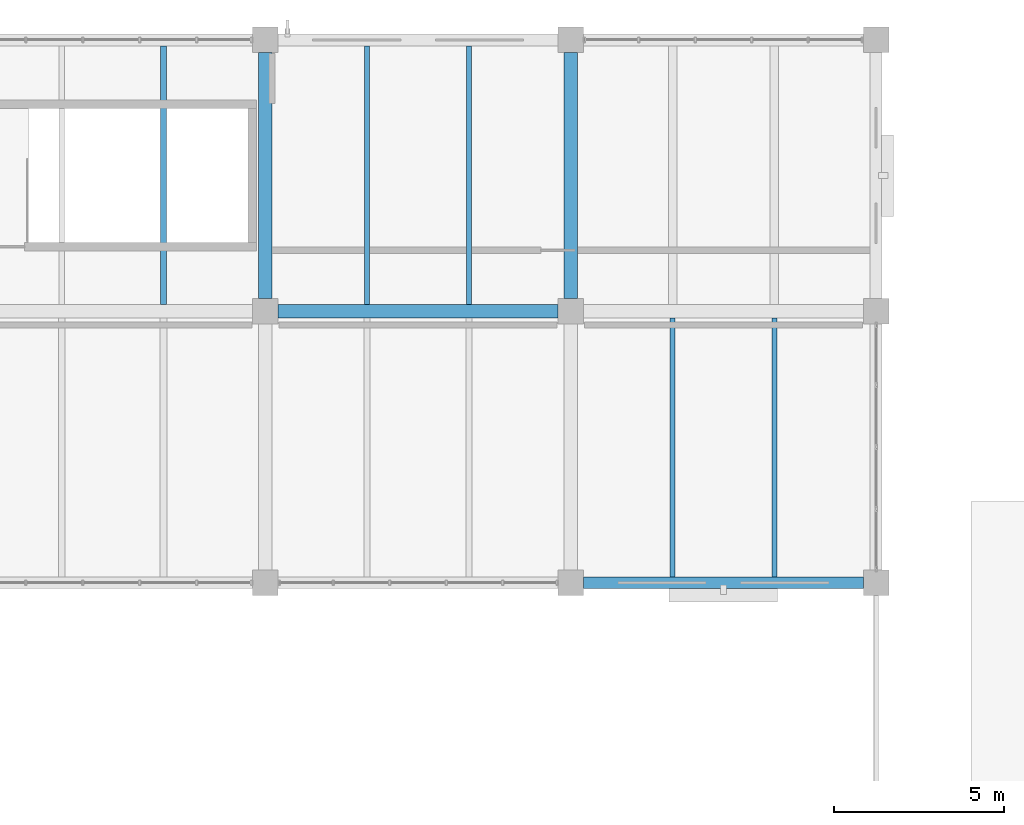
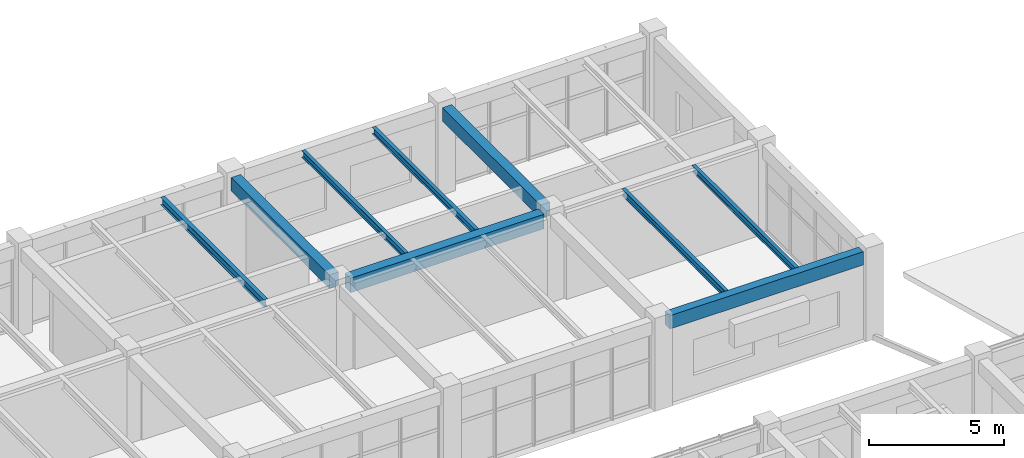
# One storey, part 72 of 148: 9 beams.
"""IFC4 building model written with IfcOpenShell, lengths in metres."""

from ifc_helpers import new_model, si_unit, derived_unit, direction, frame, origin, origin_2d, place, context, subcontext, project, spatial, rectangle, i_section, extrude, material, material_profile, profile_set, type_object, element, save


model = new_model("IFC4")

# Units and contexts
model_context = context("Model", 3, precision=1e-05, world=origin(), true_north=direction((0.0, 1.0)))
body_context = subcontext(model_context, "Body", "Model", "MODEL_VIEW")
ifc_project = project(units=[si_unit("LENGTHUNIT", "METRE"), si_unit("AREAUNIT", "SQUARE_METRE"), si_unit("VOLUMEUNIT", "CUBIC_METRE"), si_unit("PLANEANGLEUNIT", "RADIAN"), si_unit("MASSUNIT", "GRAM", prefix="KILO"), derived_unit("THERMALTRANSMITTANCEUNIT", [(si_unit("MASSUNIT", "GRAM", prefix="KILO"), 1), (si_unit("TIMEUNIT", "SECOND"), -3), (si_unit("THERMODYNAMICTEMPERATUREUNIT", "KELVIN"), -1)])], contexts=[model_context])

# Site, building, storey
site_placement = place(None, origin())
site = spatial("IfcSite", under=ifc_project, at=site_placement, CompositionType="ELEMENT")
building_placement = place(site_placement, origin())
building = spatial("IfcBuilding", under=site, at=building_placement, Name="Zhenchuan Archway Interchange", CompositionType="ELEMENT")
storey_placement = place(building_placement, frame((0.0, 0.0, 10.199951171875)))
storey = spatial("IfcBuildingStorey", under=building, at=storey_placement, Name="L02", CompositionType="ELEMENT", Elevation=10.199951171875)

# Beams
ifc_material_1 = material(Name="Concrete C40", Category="concrete")
ifc_material_profile_1 = material_profile(ifc_material_1, rectangle(XDim=0.39990234375, YDim=0.60009765625, at=origin_2d()), Name="RC 400x600")
ifc_profile_set_1 = profile_set([ifc_material_profile_1], Name="Concrete C40")
beam_type_1 = type_object("IfcBeamType", Name="BM_RC_400x600", PredefinedType="BEAM", material=ifc_profile_set_1)
for number, where, z_axis, x_axis, name in (
    (1, (36.0, 104.375, 3.64013671875), (0.0, 1.0, 0.0), (-1.0, 0.0, 0.0), "Beam 5:O-P (L02)"),
    (2, (45.0, 104.375, 3.64013671875), (0.0, 1.0, 0.0), (-1.0, 0.0, 0.0), "Beam 6:O-P (L02)"),
):
    element("IfcBeam", number, at=place(storey_placement, frame(where, z_axis=z_axis, x_axis=x_axis)), inside=storey, type_object=beam_type_1, Name=name, PredefinedType="BEAM", context=body_context, shape_type="SweptSolid", body=[
        extrude(rectangle(XDim=0.39990234375, YDim=0.60009765625, at=origin_2d()), origin(), (0.0, 0.0, 1.0), 7.25),
    ])
ifc_material_profile_2 = material_profile(ifc_material_1, rectangle(XDim=0.39990234375, YDim=0.64990234375, at=origin_2d()), Name="RC 400x650")
ifc_profile_set_2 = profile_set([ifc_material_profile_2], Name="Concrete C40")
beam_type_2 = type_object("IfcBeamType", Name="BM_RC_400x650", PredefinedType="BEAM", material=ifc_profile_set_2)
beam_1_placement = place(storey_placement, frame((36.375, 104.0, 3.614990234375), z_axis=(1.0, 0.0, 0.0), x_axis=(0.0, 1.0, 0.0)))
element("IfcBeam", 3, at=beam_1_placement, inside=storey, type_object=beam_type_2, Name="Beam O:5-6 (L02)", PredefinedType="BEAM", context=body_context, shape_type="SweptSolid", body=[
    extrude(rectangle(XDim=0.39990234375, YDim=0.64990234375, at=origin_2d()), origin(), (0.0, 0.0, 1.0), 8.25),
])
ifc_material_2 = material(Name="Steel Q355", Category="steel")
ifc_material_profile_3 = material_profile(ifc_material_2, i_section(OverallWidth=0.14990234375, OverallDepth=0.300048828125, WebThickness=0.006591796875, FlangeThickness=0.009033203125, FilletRadius=0.012939453125, at=origin_2d()), Name="HN 300x150")
ifc_profile_set_3 = profile_set([ifc_material_profile_3], Name="Steel Q355")
beam_type_3 = type_object("IfcBeamType", Name="JST_STL_HN300", PredefinedType="JOIST", material=ifc_profile_set_3)
for number, where, z_axis, x_axis, name in (
    (4, (39.0, 104.199951171875, 3.7900390625), (0.0, 1.0, 0.0), (-1.0, 0.0, 0.0), "Secondary joist 5-6/O-P #1 (L02)"),
    (5, (42.0, 104.199951171875, 3.7900390625), (0.0, 1.0, 0.0), (-1.0, 0.0, 0.0), "Secondary joist 5-6/O-P #2 (L02)"),
    (6, (48.0, 96.175048828125, 3.7900390625), (0.0, 1.0, 0.0), (-1.0, 0.0, 0.0), "Secondary joist 6-7/N-O #1 (L02)"),
    (7, (51.0, 96.175048828125, 3.7900390625), (0.0, 1.0, 0.0), (-1.0, 0.0, 0.0), "Secondary joist 6-7/N-O #2 (L02)"),
):
    element("IfcBeam", number, at=place(storey_placement, frame(where, z_axis=z_axis, x_axis=x_axis)), inside=storey, type_object=beam_type_3, Name=name, PredefinedType="JOIST", context=body_context, shape_type="SweptSolid", body=[
        extrude(i_section(OverallWidth=0.14990234375, OverallDepth=0.300048828125, WebThickness=0.006591796875, FlangeThickness=0.009033203125, FilletRadius=0.012939453125, at=origin_2d()), origin(), (0.0, 0.0, 1.0), 7.625),
    ])
ifc_material_profile_4 = material_profile(ifc_material_2, i_section(OverallWidth=0.175048828125, OverallDepth=0.35009765625, WebThickness=0.007080078125, FlangeThickness=0.010986328125, FilletRadius=0.013916015625, at=origin_2d()), Name="HN 350x175")
ifc_profile_set_4 = profile_set([ifc_material_profile_4], Name="Steel Q355")
beam_type_4 = type_object("IfcBeamType", Name="JST_STL_HN350", PredefinedType="JOIST", material=ifc_profile_set_4)
beam_2_placement = place(storey_placement, frame((33.0, 104.199951171875, 3.76513671875), z_axis=(0.0, 1.0, 0.0), x_axis=(-1.0, 0.0, 0.0)))
element("IfcBeam", 8, at=beam_2_placement, inside=storey, type_object=beam_type_4, Name="Secondary joist 4-5/O-P #2 (L02)", PredefinedType="JOIST", context=body_context, shape_type="SweptSolid", body=[
    extrude(i_section(OverallWidth=0.175048828125, OverallDepth=0.35009765625, WebThickness=0.007080078125, FlangeThickness=0.010986328125, FilletRadius=0.013916015625, at=origin_2d()), origin(), (0.0, 0.0, 1.0), 7.625),
])
ifc_material_profile_5 = material_profile(ifc_material_1, rectangle(XDim=0.35009765625, YDim=0.60009765625, at=origin_2d()), Name="RC 350x600")
ifc_profile_set_5 = profile_set([ifc_material_profile_5], Name="Concrete C40")
beam_type_5 = type_object("IfcBeamType", Name="SP_RC_350x600", PredefinedType="SPANDREL", material=ifc_profile_set_5)
beam_3_placement = place(storey_placement, frame((45.375, 96.0, 3.64013671875), z_axis=(1.0, 0.0, 0.0), x_axis=(0.0, 1.0, 0.0)))
element("IfcBeam", 9, at=beam_3_placement, inside=storey, type_object=beam_type_5, Name="Beam N:6-7 (L02)", PredefinedType="SPANDREL", context=body_context, shape_type="SweptSolid", body=[
    extrude(rectangle(XDim=0.35009765625, YDim=0.60009765625, at=origin_2d()), origin(), (0.0, 0.0, 1.0), 8.25),
])

save(model, "model.ifc")
